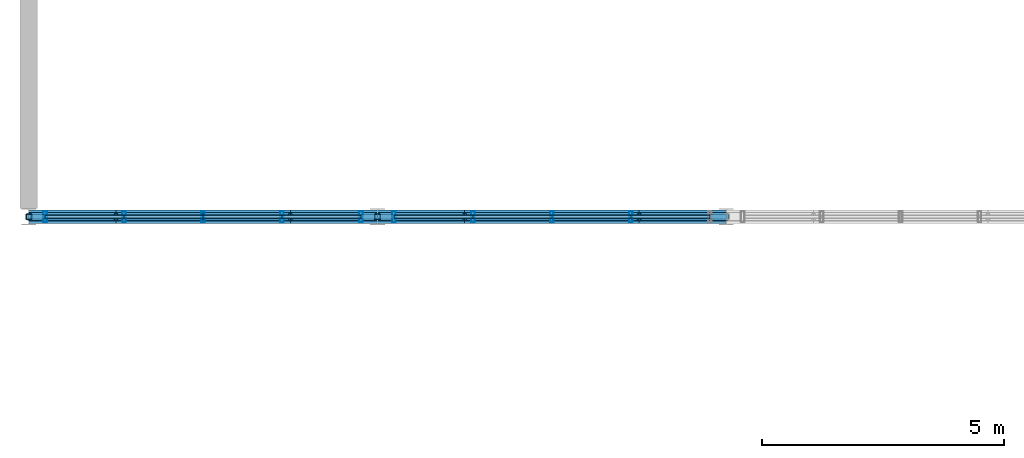
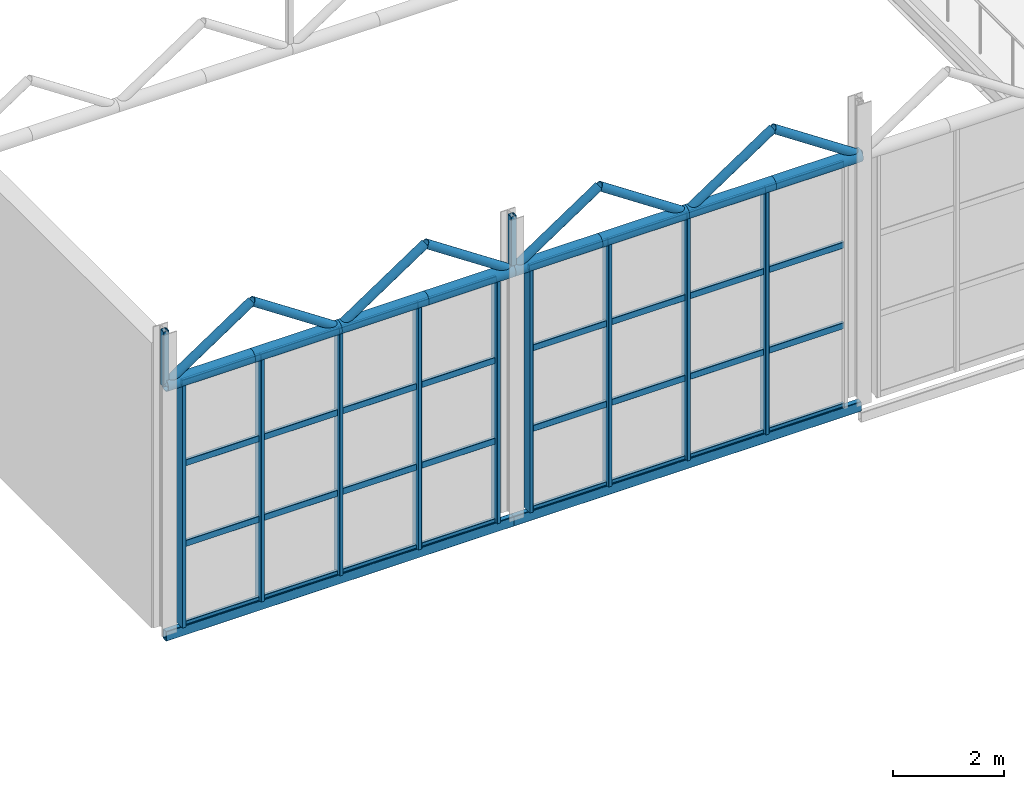
# One storey, part 83 of 153: 59 members, 2 beams, 2 elements without a shape of their own.
"""IFC4 building model written with IfcOpenShell, lengths in metres."""

import ifcopenshell
import ifcopenshell.guid

model = None  # the IFC model being written
_history = None  # IfcOwnerHistory: only IFC2X3 demands one
_inside = {}  # id of a spatial element -> (the spatial element, [elements in it])
_under = {}  # id of a project, library or spatial element -> (it, [spatial elements below it])
_declared = {}  # id of a project -> (the project, [libraries it declares])
_typed = {}  # id of a type object -> (the type object, [elements of that type])
_made_of = {}  # id of a material, layer set ... -> (it, [elements and type objects made of it])


def new_model(schema):
    """Start an empty IFC model of exactly this schema.

    Asked for "IFC4X3", IfcOpenShell would pick the latest addendum, in which some entities
    have other attributes; the version numbers below select the first issue.
    IFC2X3 requires an IfcOwnerHistory on every rooted entity: one is made here for all.
    """
    global model, _history
    if schema == "IFC4X3":
        model = ifcopenshell.file(schema_version=(4, 3, 0, 0))
    else:
        model = ifcopenshell.file(schema=schema)
    _inside.clear()
    _under.clear()
    _declared.clear()
    _typed.clear()
    _made_of.clear()
    _history = None
    if model.schema == "IFC2X3":
        org = make("IfcOrganization", Name="unknown")
        user = make(
            "IfcPersonAndOrganization",
            ThePerson=make("IfcPerson", FamilyName="unknown"),
            TheOrganization=org,
        )
        app = make(
            "IfcApplication",
            ApplicationDeveloper=org,
            Version="unknown",
            ApplicationFullName="unknown",
            ApplicationIdentifier="unknown",
        )
        _history = make(
            "IfcOwnerHistory",
            OwningUser=user,
            OwningApplication=app,
            ChangeAction="ADDED",
            CreationDate=0,
        )
    return model


def make(cls, **values):
    """One entity of the class cls with the attributes given. An attribute that is None is left unset."""
    return model.create_entity(
        cls, **{name: value for name, value in values.items() if value is not None}
    )


def rooted(cls, **values):
    """An entity with a GlobalId (a new one), such as an element, a storey or a relation."""
    return make(cls, GlobalId=ifcopenshell.guid.new(), OwnerHistory=_history, **values)


def si_unit(unit_type, name, prefix=None):
    """IfcSIUnit, for example si_unit("LENGTHUNIT", "METRE", prefix="MILLI")."""
    return make("IfcSIUnit", UnitType=unit_type, Prefix=prefix, Name=name)


def derived_unit(unit_type, elements):
    """IfcDerivedUnit: a product of units, each with its exponent."""
    return make(
        "IfcDerivedUnit",
        Elements=[
            make("IfcDerivedUnitElement", Unit=unit, Exponent=power)
            for unit, power in elements
        ],
        UnitType=unit_type,
    )


def assignment(units):
    """IfcUnitAssignment: the units of a project."""
    return None if units is None else make("IfcUnitAssignment", Units=units)


def point(xyz):
    """IfcCartesianPoint."""
    return None if xyz is None else make("IfcCartesianPoint", Coordinates=xyz)


def direction(xyz):
    """IfcDirection."""
    return None if xyz is None else make("IfcDirection", DirectionRatios=xyz)


def frame(location, z_axis=None, x_axis=None):
    """IfcAxis2Placement3D, a coordinate frame: its origin and axes. An axis left out is left unset."""
    return make(
        "IfcAxis2Placement3D",
        Location=point(location),
        Axis=direction(z_axis),
        RefDirection=direction(x_axis),
    )


def frame_2d(location, x_axis=None):
    """IfcAxis2Placement2D, a coordinate frame in the plane: its origin and x axis."""
    return make(
        "IfcAxis2Placement2D", Location=point(location), RefDirection=direction(x_axis)
    )


def origin():
    """The frame at (0, 0, 0) with its axes left unset."""
    return frame((0.0, 0.0, 0.0))


def origin_2d():
    """The frame at (0, 0) in the plane with its x axis left unset."""
    return frame_2d((0.0, 0.0))


def place(relative_to, where):
    """IfcLocalPlacement: puts the frame where relative to a parent placement (None: the world)."""
    return make(
        "IfcLocalPlacement", PlacementRelTo=relative_to, RelativePlacement=where
    )


def context(
    kind, dimensions, precision=None, world=None, true_north=None, identifier=None
):
    """IfcGeometricRepresentationContext, for example the 3D "Model" context."""
    return make(
        "IfcGeometricRepresentationContext",
        ContextIdentifier=identifier,
        ContextType=kind,
        CoordinateSpaceDimension=dimensions,
        Precision=precision,
        WorldCoordinateSystem=world,
        TrueNorth=true_north,
    )


def subcontext(parent, identifier, kind, view, scale=None):
    """IfcGeometricRepresentationSubContext, for example "Body" below "Model"."""
    return make(
        "IfcGeometricRepresentationSubContext",
        ContextIdentifier=identifier,
        ContextType=kind,
        ParentContext=parent,
        TargetScale=scale,
        TargetView=view,
    )


def project(units=None, contexts=None):
    """IfcProject with its units and contexts."""
    return rooted(
        "IfcProject",
        Name="project",
        RepresentationContexts=contexts,
        UnitsInContext=assignment(units),
    )


def spatial(cls, under=None, at=None, **own):
    """A site, building, storey or space (cls), placed at a placement, below another one or the project."""
    s = rooted(cls, ObjectPlacement=at, **own)
    if under is not None:
        _under.setdefault(under.id(), (under, []))[1].append(s)
    return s


def profile(cls, at=None, kind="AREA", **sizes):
    """A parametric profile (cls). Its sizes go by their IFC names, for example OverallWidth=200.0."""
    return make(cls, ProfileType=kind, Position=at, **sizes)


def hollow_rectangle(**sizes):
    """IfcRectangleHollowProfileDef."""
    return profile("IfcRectangleHollowProfileDef", **sizes)


def hollow_circle(**sizes):
    """IfcCircleHollowProfileDef."""
    return profile("IfcCircleHollowProfileDef", **sizes)


def extrude(swept, where, along, depth):
    """IfcExtrudedAreaSolid: the profile swept, set in the frame where, extruded along a direction by depth."""
    return make(
        "IfcExtrudedAreaSolid",
        SweptArea=swept,
        Position=where,
        ExtrudedDirection=direction(along),
        Depth=depth,
    )


def shape(context_of_items, identifier, shape_type, items):
    """IfcShapeRepresentation: the items that make up one representation, for example the "Body"."""
    return make(
        "IfcShapeRepresentation",
        ContextOfItems=context_of_items,
        RepresentationIdentifier=identifier,
        RepresentationType=shape_type,
        Items=items,
    )


def material(Name=None, Category=None):
    """IfcMaterial."""
    return make("IfcMaterial", Name=Name, Category=Category)


def material_profile(
    of_material, cross_section, Name=None, Category=None, Priority=None
):
    """IfcMaterialProfile: a cross section and its material."""
    return make(
        "IfcMaterialProfile",
        Name=Name,
        Material=of_material,
        Profile=cross_section,
        Priority=Priority,
        Category=Category,
    )


def profile_set(profiles, Name=None, composite=None):
    """IfcMaterialProfileSet."""
    return make(
        "IfcMaterialProfileSet",
        Name=Name,
        MaterialProfiles=profiles,
        CompositeProfile=composite,
    )


def made_of(thing, what):
    """Note that an element or type object is made of a material, layer set ...; save() writes the relation."""
    if what is not None:
        _made_of.setdefault(what.id(), (what, []))[1].append(thing)
    return thing


def type_object(cls, material=None, **own):
    """A type object (cls), such as IfcWallType, which elements share."""
    return made_of(rooted(cls, **own), material)


def element(
    cls,
    number,
    at=None,
    inside=None,
    cuts=None,
    type_object=None,
    material=None,
    context=None,
    identifier="Body",
    shape_type=None,
    held_by="IfcProductDefinitionShape",
    body=None,
    shapes=None,
    **own,
):
    """One element of the class cls, such as IfcWall. Its Tag is "e" and its number.

    at: its placement. inside: the storey or other place that contains it. cuts: it is an
    opening in that element (IfcRelVoidsElement). A single representation is given by context,
    identifier, shape_type and body (its items); several are given by shapes. held_by: the class
    of the entity that holds the representations. save() writes the other relations.
    """
    e = rooted(cls, Tag="e%d" % number, ObjectPlacement=at, **own)
    if body is not None:
        shapes = [shape(context, identifier, shape_type, body)]
    if shapes is not None:
        e.Representation = make(held_by, Representations=shapes)
    if inside is not None:
        _inside.setdefault(inside.id(), (inside, []))[1].append(e)
    if cuts is not None:
        rooted(
            "IfcRelVoidsElement", RelatingBuildingElement=cuts, RelatedOpeningElement=e
        )
    if type_object is not None:
        _typed.setdefault(type_object.id(), (type_object, []))[1].append(e)
    return made_of(e, material)


def aggregate(whole, parts):
    """IfcRelAggregates: a whole, such as a stair, and the parts it consists of."""
    return rooted("IfcRelAggregates", RelatingObject=whole, RelatedObjects=parts)


def save(model, path):
    """Write the relations noted so far, then the file.

    IfcRelAggregates (storeys below a building ...), IfcRelContainedInSpatialStructure (elements
    in a storey), IfcRelDefinesByType, IfcRelAssociatesMaterial and IfcRelDeclares: one each for
    every whole, place, type object, material and project.
    """
    for whole, parts in _under.values():
        aggregate(whole, parts)
    for where, things in _inside.values():
        rooted(
            "IfcRelContainedInSpatialStructure",
            RelatedElements=things,
            RelatingStructure=where,
        )
    for kind, things in _typed.values():
        rooted("IfcRelDefinesByType", RelatedObjects=things, RelatingType=kind)
    for what, things in _made_of.values():
        rooted("IfcRelAssociatesMaterial", RelatedObjects=things, RelatingMaterial=what)
    for by, libraries in _declared.values():
        rooted("IfcRelDeclares", RelatingContext=by, RelatedDefinitions=libraries)
    model.write(path)


model = new_model("IFC4")

# Units and contexts
model_context = context("Model", 3, precision=1e-05, world=origin(), true_north=direction((0.0, 1.0)))
body_context = subcontext(model_context, "Body", "Model", "MODEL_VIEW")
ifc_project = project(units=[si_unit("LENGTHUNIT", "METRE"), si_unit("AREAUNIT", "SQUARE_METRE"), si_unit("VOLUMEUNIT", "CUBIC_METRE"), si_unit("PLANEANGLEUNIT", "RADIAN"), si_unit("MASSUNIT", "GRAM", prefix="KILO"), derived_unit("THERMALTRANSMITTANCEUNIT", [(si_unit("POWERUNIT", "WATT"), 1), (si_unit("LENGTHUNIT", "METRE"), -2), (si_unit("THERMODYNAMICTEMPERATUREUNIT", "KELVIN"), -1)])], contexts=[model_context])

# Site, building, storey
site_placement = place(None, origin())
site = spatial("IfcSite", under=ifc_project, at=site_placement, CompositionType="ELEMENT")
building_placement = place(site_placement, origin())
building = spatial("IfcBuilding", under=site, at=building_placement, Name="Keldorne Ridge Multi-Sports Centre", CompositionType="ELEMENT")
storey_placement = place(building_placement, frame((0.0, 0.0, 9.60009765625)))
storey = spatial("IfcBuildingStorey", under=building, at=storey_placement, Name="L02", CompositionType="ELEMENT", Elevation=9.60009765625)

# Beams
ifc_material_1 = material(Name="Steel S355", Category="steel")
ifc_material_profile_1 = material_profile(ifc_material_1, hollow_rectangle(XDim=0.1201171875, YDim=0.219970703125, WallThickness=0.010009765625, InnerFilletRadius=0.010009765625, OuterFilletRadius=0.02001953125, at=origin_2d()), Name="RHS 220x120x10")
ifc_profile_set_1 = profile_set([ifc_material_profile_1], Name="Steel S355")
beam_type = type_object("IfcBeamType", Name="BM-SP-07", PredefinedType="SPANDREL", material=ifc_profile_set_1)
for number, where, z_axis, x_axis, name in (
    (1, (6.0, 74.0, -0.110107421875), (1.0, 0.0, 0.0), (0.0, 1.0, 0.0), "Climbing spandrel L02.74.1"),
    (2, (13.199951171875, 74.0, -0.110107421875), (1.0, 0.0, 0.0), (0.0, 1.0, 0.0), "Climbing spandrel L02.74.2"),
):
    element("IfcBeam", number, at=place(storey_placement, frame(where, z_axis=z_axis, x_axis=x_axis)), inside=storey, type_object=beam_type, Name=name, PredefinedType="SPANDREL", context=body_context, shape_type="SweptSolid", body=[
        extrude(hollow_rectangle(XDim=0.1201171875, YDim=0.219970703125, WallThickness=0.010009765625, InnerFilletRadius=0.010009765625, OuterFilletRadius=0.02001953125, at=origin_2d()), origin(), (0.0, 0.0, 1.0), 7.199951171875),
    ])

# Curtain wall, members
ifc_material_2 = material(Name="Anodized aluminium", Category="aluminium")
curtain_wall_type_1 = type_object("IfcCurtainWallType", Name="CW-CW-04", PredefinedType="NOTDEFINED", material=ifc_material_2)
curtain_wall_1_placement = place(storey_placement, origin())
curtain_wall_1 = element("IfcCurtainWall", 3, at=curtain_wall_1_placement, inside=storey, type_object=curtain_wall_type_1, Name="Climbing upper south glazing 036", PredefinedType="NOTDEFINED")
ifc_material_profile_2 = material_profile(ifc_material_2, hollow_rectangle(XDim=0.074951171875, YDim=0.219970703125, WallThickness=0.0048828125, InnerFilletRadius=0.0048828125, OuterFilletRadius=0.010009765625, at=origin_2d()), Name="ALU MULLION 220x75x5")
ifc_profile_set_2 = profile_set([ifc_material_profile_2], Name="Anodized aluminium")
member_type_1 = type_object("IfcMemberType", Name="MEM-ML-02", PredefinedType="MULLION", material=ifc_profile_set_2)
member_1_placement = place(storey_placement, frame((6.340087890625, 74.0, 0.0), z_axis=(0.0, 0.0, 1.0), x_axis=(1.0, 0.0, 0.0)))
member_1 = element("IfcMember", 4, at=member_1_placement, type_object=member_type_1, Name="CW-036 vertical mullion 1", PredefinedType="MULLION", context=body_context, shape_type="SweptSolid", body=[
    extrude(hollow_rectangle(XDim=0.074951171875, YDim=0.219970703125, WallThickness=0.0048828125, InnerFilletRadius=0.0048828125, OuterFilletRadius=0.010009765625, at=origin_2d()), origin(), (0.0, 0.0, 1.0), 5.2998046875),
])
member_2_placement = place(storey_placement, frame((7.969970703125, 74.0, 0.0), z_axis=(0.0, 0.0, 1.0), x_axis=(1.0, 0.0, 0.0)))
member_2 = element("IfcMember", 5, at=member_2_placement, type_object=member_type_1, Name="CW-036 vertical mullion 2", PredefinedType="MULLION", context=body_context, shape_type="SweptSolid", body=[
    extrude(hollow_rectangle(XDim=0.074951171875, YDim=0.219970703125, WallThickness=0.0048828125, InnerFilletRadius=0.0048828125, OuterFilletRadius=0.010009765625, at=origin_2d()), origin(), (0.0, 0.0, 1.0), 5.2998046875),
])
member_3_placement = place(storey_placement, frame((9.60009765625, 74.0, 0.0), z_axis=(0.0, 0.0, 1.0), x_axis=(1.0, 0.0, 0.0)))
member_3 = element("IfcMember", 6, at=member_3_placement, type_object=member_type_1, Name="CW-036 vertical mullion 3", PredefinedType="MULLION", context=body_context, shape_type="SweptSolid", body=[
    extrude(hollow_rectangle(XDim=0.074951171875, YDim=0.219970703125, WallThickness=0.0048828125, InnerFilletRadius=0.0048828125, OuterFilletRadius=0.010009765625, at=origin_2d()), origin(), (0.0, 0.0, 1.0), 5.2998046875),
])
member_4_placement = place(storey_placement, frame((11.22998046875, 74.0, 0.0), z_axis=(0.0, 0.0, 1.0), x_axis=(1.0, 0.0, 0.0)))
member_4 = element("IfcMember", 7, at=member_4_placement, type_object=member_type_1, Name="CW-036 vertical mullion 4", PredefinedType="MULLION", context=body_context, shape_type="SweptSolid", body=[
    extrude(hollow_rectangle(XDim=0.074951171875, YDim=0.219970703125, WallThickness=0.0048828125, InnerFilletRadius=0.0048828125, OuterFilletRadius=0.010009765625, at=origin_2d()), origin(), (0.0, 0.0, 1.0), 5.2998046875),
])
member_5_placement = place(storey_placement, frame((12.860107421875, 74.0, 0.0), z_axis=(0.0, 0.0, 1.0), x_axis=(1.0, 0.0, 0.0)))
member_5 = element("IfcMember", 8, at=member_5_placement, type_object=member_type_1, Name="CW-036 vertical mullion 5", PredefinedType="MULLION", context=body_context, shape_type="SweptSolid", body=[
    extrude(hollow_rectangle(XDim=0.074951171875, YDim=0.219970703125, WallThickness=0.0048828125, InnerFilletRadius=0.0048828125, OuterFilletRadius=0.010009765625, at=origin_2d()), origin(), (0.0, 0.0, 1.0), 5.2998046875),
])

curtain_wall_type_2 = type_object("IfcCurtainWallType", Name="CW-CW-01", PredefinedType="NOTDEFINED", material=ifc_material_2)
curtain_wall_2_placement = place(storey_placement, origin())
curtain_wall_2 = element("IfcCurtainWall", 9, at=curtain_wall_2_placement, inside=storey, type_object=curtain_wall_type_2, Name="Climbing upper south glazing 041", PredefinedType="NOTDEFINED")
member_6_placement = place(storey_placement, frame((13.5400390625, 74.0, 0.0), z_axis=(0.0, 0.0, 1.0), x_axis=(1.0, 0.0, 0.0)))
member_6 = element("IfcMember", 10, at=member_6_placement, type_object=member_type_1, Name="CW-041 vertical mullion 1", PredefinedType="MULLION", context=body_context, shape_type="SweptSolid", body=[
    extrude(hollow_rectangle(XDim=0.074951171875, YDim=0.219970703125, WallThickness=0.0048828125, InnerFilletRadius=0.0048828125, OuterFilletRadius=0.010009765625, at=origin_2d()), origin(), (0.0, 0.0, 1.0), 5.2998046875),
])
member_7_placement = place(storey_placement, frame((15.169921875, 74.0, 0.0), z_axis=(0.0, 0.0, 1.0), x_axis=(1.0, 0.0, 0.0)))
member_7 = element("IfcMember", 11, at=member_7_placement, type_object=member_type_1, Name="CW-041 vertical mullion 2", PredefinedType="MULLION", context=body_context, shape_type="SweptSolid", body=[
    extrude(hollow_rectangle(XDim=0.074951171875, YDim=0.219970703125, WallThickness=0.0048828125, InnerFilletRadius=0.0048828125, OuterFilletRadius=0.010009765625, at=origin_2d()), origin(), (0.0, 0.0, 1.0), 5.2998046875),
])
member_8_placement = place(storey_placement, frame((16.800048828125, 74.0, 0.0), z_axis=(0.0, 0.0, 1.0), x_axis=(1.0, 0.0, 0.0)))
member_8 = element("IfcMember", 12, at=member_8_placement, type_object=member_type_1, Name="CW-041 vertical mullion 3", PredefinedType="MULLION", context=body_context, shape_type="SweptSolid", body=[
    extrude(hollow_rectangle(XDim=0.074951171875, YDim=0.219970703125, WallThickness=0.0048828125, InnerFilletRadius=0.0048828125, OuterFilletRadius=0.010009765625, at=origin_2d()), origin(), (0.0, 0.0, 1.0), 5.2998046875),
])
member_9_placement = place(storey_placement, frame((18.429931640625, 74.0, 0.0), z_axis=(0.0, 0.0, 1.0), x_axis=(1.0, 0.0, 0.0)))
member_9 = element("IfcMember", 13, at=member_9_placement, type_object=member_type_1, Name="CW-041 vertical mullion 4", PredefinedType="MULLION", context=body_context, shape_type="SweptSolid", body=[
    extrude(hollow_rectangle(XDim=0.074951171875, YDim=0.219970703125, WallThickness=0.0048828125, InnerFilletRadius=0.0048828125, OuterFilletRadius=0.010009765625, at=origin_2d()), origin(), (0.0, 0.0, 1.0), 5.2998046875),
])

# Members
ifc_material_profile_3 = material_profile(ifc_material_1, hollow_circle(Radius=0.136474609375, WallThickness=0.012451171875, at=origin_2d()), Name="CHS 273x12.5")
ifc_profile_set_3 = profile_set([ifc_material_profile_3], Name="Steel S355")
member_type_2 = type_object("IfcMemberType", Name="MEM-TC-05", PredefinedType="CHORD", material=ifc_profile_set_3)
for number, where, z_axis, x_axis, name in (
    (14, (6.0, 74.0, 5.3798828125), (1.0, 0.0, 0.0), (0.0, 1.0, 0.0), "Climbing sawtooth ROOF TRUSS ST-01 bottom chord 1"),
    (15, (7.800048828125, 74.0, 5.3798828125), (1.0, 0.0, 0.0), (0.0, 1.0, 0.0), "Climbing sawtooth ROOF TRUSS ST-01 bottom chord 2"),
):
    element("IfcMember", number, at=place(storey_placement, frame(where, z_axis=z_axis, x_axis=x_axis)), inside=storey, type_object=member_type_2, Name=name, PredefinedType="CHORD", context=body_context, shape_type="SweptSolid", body=[
        extrude(hollow_circle(Radius=0.136474609375, WallThickness=0.012451171875, at=origin_2d()), origin(), (0.0, 0.0, 1.0), 1.800048828125),
    ])
member_10_placement = place(storey_placement, frame((9.60009765625, 74.0, 5.3798828125), z_axis=(1.0, 0.0, 0.0), x_axis=(0.0, 1.0, 0.0)))
element("IfcMember", 16, at=member_10_placement, inside=storey, type_object=member_type_2, Name="Climbing sawtooth ROOF TRUSS ST-01 bottom chord 3", PredefinedType="CHORD", context=body_context, shape_type="SweptSolid", body=[
    extrude(hollow_circle(Radius=0.136474609375, WallThickness=0.012451171875, at=origin_2d()), origin(), (0.0, 0.0, 1.0), 1.7998046875),
])
for number, where, z_axis, x_axis, name in (
    (17, (11.39990234375, 74.0, 5.3798828125), (1.0, 0.0, 0.0), (0.0, 1.0, 0.0), "Climbing sawtooth ROOF TRUSS ST-01 bottom chord 4"),
    (18, (13.199951171875, 74.0, 5.3798828125), (1.0, 0.0, 0.0), (0.0, 1.0, 0.0), "Climbing sawtooth ROOF TRUSS ST-01 bottom chord 5"),
    (19, (15.0, 74.0, 5.3798828125), (1.0, 0.0, 0.0), (0.0, 1.0, 0.0), "Climbing sawtooth ROOF TRUSS ST-01 bottom chord 6"),
    (20, (16.800048828125, 74.0, 5.3798828125), (1.0, 0.0, 0.0), (0.0, 1.0, 0.0), "Climbing sawtooth ROOF TRUSS ST-01 bottom chord 7"),
):
    element("IfcMember", number, at=place(storey_placement, frame(where, z_axis=z_axis, x_axis=x_axis)), inside=storey, type_object=member_type_2, Name=name, PredefinedType="CHORD", context=body_context, shape_type="SweptSolid", body=[
        extrude(hollow_circle(Radius=0.136474609375, WallThickness=0.012451171875, at=origin_2d()), origin(), (0.0, 0.0, 1.0), 1.800048828125),
    ])
member_11_placement = place(storey_placement, frame((18.60009765625, 74.0, 5.3798828125), z_axis=(1.0, 0.0, 0.0), x_axis=(0.0, 1.0, 0.0)))
element("IfcMember", 21, at=member_11_placement, inside=storey, type_object=member_type_2, Name="Climbing sawtooth ROOF TRUSS ST-01 bottom chord 8", PredefinedType="CHORD", context=body_context, shape_type="SweptSolid", body=[
    extrude(hollow_circle(Radius=0.136474609375, WallThickness=0.012451171875, at=origin_2d()), origin(), (0.0, 0.0, 1.0), 1.7998046875),
])
ifc_material_profile_4 = material_profile(ifc_material_1, hollow_circle(Radius=0.0888671875, WallThickness=0.010009765625, at=origin_2d()), Name="CHS 177.8x10")
ifc_profile_set_4 = profile_set([ifc_material_profile_4], Name="Steel S355")
member_type_3 = type_object("IfcMemberType", Name="MEM-TD-03", PredefinedType="BRACE", material=ifc_profile_set_4)
for number, where, z_axis, x_axis, name in (
    (22, (6.0, 74.0, 5.3798828125), (0.832067655982, 0.0, 0.554674152876), (0.0, 1.0, 0.0), "Climbing sawtooth web diagonal 01.1"),
    (23, (7.800048828125, 74.0, 6.579833984375), (0.832067655982, 0.0, -0.554674152876), (0.0, 1.0, 0.0), "Climbing sawtooth web diagonal 01.2"),
):
    element("IfcMember", number, at=place(storey_placement, frame(where, z_axis=z_axis, x_axis=x_axis)), inside=storey, type_object=member_type_3, Name=name, PredefinedType="BRACE", context=body_context, shape_type="SweptSolid", body=[
        extrude(hollow_circle(Radius=0.0888671875, WallThickness=0.010009765625, at=origin_2d()), origin(), (0.0, 0.0, 1.0), 2.163330078125),
    ])
member_12_placement = place(storey_placement, frame((9.60009765625, 74.0, 5.3798828125), z_axis=(0.832032930248, 0.0, 0.554726241477), x_axis=(0.0, 1.0, 0.0)))
element("IfcMember", 24, at=member_12_placement, inside=storey, type_object=member_type_3, Name="Climbing sawtooth web diagonal 01.3", PredefinedType="BRACE", context=body_context, shape_type="SweptSolid", body=[
    extrude(hollow_circle(Radius=0.0888671875, WallThickness=0.010009765625, at=origin_2d()), origin(), (0.0, 0.0, 1.0), 2.1630859375),
])
for number, where, z_axis, x_axis, name in (
    (25, (11.39990234375, 74.0, 6.579833984375), (0.832067655982, 0.0, -0.554674152876), (0.0, 1.0, 0.0), "Climbing sawtooth web diagonal 01.4"),
    (26, (13.199951171875, 74.0, 5.3798828125), (0.832067655982, 0.0, 0.554674152876), (0.0, 1.0, 0.0), "Climbing sawtooth web diagonal 01.5"),
    (27, (15.0, 74.0, 6.579833984375), (0.832067655982, 0.0, -0.554674152876), (0.0, 1.0, 0.0), "Climbing sawtooth web diagonal 01.6"),
    (28, (16.800048828125, 74.0, 5.3798828125), (0.832067655982, 0.0, 0.554674152876), (0.0, 1.0, 0.0), "Climbing sawtooth web diagonal 01.7"),
):
    element("IfcMember", number, at=place(storey_placement, frame(where, z_axis=z_axis, x_axis=x_axis)), inside=storey, type_object=member_type_3, Name=name, PredefinedType="BRACE", context=body_context, shape_type="SweptSolid", body=[
        extrude(hollow_circle(Radius=0.0888671875, WallThickness=0.010009765625, at=origin_2d()), origin(), (0.0, 0.0, 1.0), 2.163330078125),
    ])
member_13_placement = place(storey_placement, frame((18.60009765625, 74.0, 6.579833984375), z_axis=(0.832032930248, 0.0, -0.554726241477), x_axis=(0.0, 1.0, 0.0)))
element("IfcMember", 29, at=member_13_placement, inside=storey, type_object=member_type_3, Name="Climbing sawtooth web diagonal 01.8", PredefinedType="BRACE", context=body_context, shape_type="SweptSolid", body=[
    extrude(hollow_circle(Radius=0.0888671875, WallThickness=0.010009765625, at=origin_2d()), origin(), (0.0, 0.0, 1.0), 2.1630859375),
])

# Member
ifc_material_profile_5 = material_profile(ifc_material_2, hollow_rectangle(XDim=0.06494140625, YDim=0.139892578125, WallThickness=0.00439453125, InnerFilletRadius=0.00439453125, OuterFilletRadius=0.009033203125, at=origin_2d()), Name="ALU TRANSOM 140x65x4.5")
ifc_profile_set_5 = profile_set([ifc_material_profile_5], Name="Anodized aluminium")
member_type_4 = type_object("IfcMemberType", Name="MEM-TR-01", PredefinedType="USERDEFINED", material=ifc_profile_set_5)
member_14_placement = place(storey_placement, frame((6.340087890625, 74.0, 0.0), z_axis=(1.0, 0.0, 0.0), x_axis=(0.0, 1.0, 0.0)))
member_14 = element("IfcMember", 30, at=member_14_placement, type_object=member_type_4, Name="CW-036 transom 1.1", ObjectType="TRANSOM", PredefinedType="USERDEFINED", context=body_context, shape_type="SweptSolid", body=[
    extrude(hollow_rectangle(XDim=0.06494140625, YDim=0.139892578125, WallThickness=0.00439453125, InnerFilletRadius=0.00439453125, OuterFilletRadius=0.009033203125, at=origin_2d()), origin(), (0.0, 0.0, 1.0), 1.6298828125),
])

member_15_placement = place(storey_placement, frame((6.340087890625, 74.0, 1.7666015625), z_axis=(1.0, 0.0, 0.0), x_axis=(0.0, 1.0, 0.0)))
member_15 = element("IfcMember", 31, at=member_15_placement, type_object=member_type_4, Name="CW-036 transom 1.2", ObjectType="TRANSOM", PredefinedType="USERDEFINED", context=body_context, shape_type="SweptSolid", body=[
    extrude(hollow_rectangle(XDim=0.06494140625, YDim=0.139892578125, WallThickness=0.00439453125, InnerFilletRadius=0.00439453125, OuterFilletRadius=0.009033203125, at=origin_2d()), origin(), (0.0, 0.0, 1.0), 1.6298828125),
])

member_16_placement = place(storey_placement, frame((6.340087890625, 74.0, 3.533203125), z_axis=(1.0, 0.0, 0.0), x_axis=(0.0, 1.0, 0.0)))
member_16 = element("IfcMember", 32, at=member_16_placement, type_object=member_type_4, Name="CW-036 transom 1.3", ObjectType="TRANSOM", PredefinedType="USERDEFINED", context=body_context, shape_type="SweptSolid", body=[
    extrude(hollow_rectangle(XDim=0.06494140625, YDim=0.139892578125, WallThickness=0.00439453125, InnerFilletRadius=0.00439453125, OuterFilletRadius=0.009033203125, at=origin_2d()), origin(), (0.0, 0.0, 1.0), 1.6298828125),
])

member_17_placement = place(storey_placement, frame((6.340087890625, 74.0, 5.2998046875), z_axis=(1.0, 0.0, 0.0), x_axis=(0.0, 1.0, 0.0)))
member_17 = element("IfcMember", 33, at=member_17_placement, type_object=member_type_4, Name="CW-036 transom 1.4", ObjectType="TRANSOM", PredefinedType="USERDEFINED", context=body_context, shape_type="SweptSolid", body=[
    extrude(hollow_rectangle(XDim=0.06494140625, YDim=0.139892578125, WallThickness=0.00439453125, InnerFilletRadius=0.00439453125, OuterFilletRadius=0.009033203125, at=origin_2d()), origin(), (0.0, 0.0, 1.0), 1.6298828125),
])

member_18_placement = place(storey_placement, frame((7.969970703125, 74.0, 0.0), z_axis=(1.0, 0.0, 0.0), x_axis=(0.0, 1.0, 0.0)))
member_18 = element("IfcMember", 34, at=member_18_placement, type_object=member_type_4, Name="CW-036 transom 2.1", ObjectType="TRANSOM", PredefinedType="USERDEFINED", context=body_context, shape_type="SweptSolid", body=[
    extrude(hollow_rectangle(XDim=0.06494140625, YDim=0.139892578125, WallThickness=0.00439453125, InnerFilletRadius=0.00439453125, OuterFilletRadius=0.009033203125, at=origin_2d()), origin(), (0.0, 0.0, 1.0), 1.630126953125),
])

member_19_placement = place(storey_placement, frame((7.969970703125, 74.0, 1.7666015625), z_axis=(1.0, 0.0, 0.0), x_axis=(0.0, 1.0, 0.0)))
member_19 = element("IfcMember", 35, at=member_19_placement, type_object=member_type_4, Name="CW-036 transom 2.2", ObjectType="TRANSOM", PredefinedType="USERDEFINED", context=body_context, shape_type="SweptSolid", body=[
    extrude(hollow_rectangle(XDim=0.06494140625, YDim=0.139892578125, WallThickness=0.00439453125, InnerFilletRadius=0.00439453125, OuterFilletRadius=0.009033203125, at=origin_2d()), origin(), (0.0, 0.0, 1.0), 1.630126953125),
])

member_20_placement = place(storey_placement, frame((7.969970703125, 74.0, 3.533203125), z_axis=(1.0, 0.0, 0.0), x_axis=(0.0, 1.0, 0.0)))
member_20 = element("IfcMember", 36, at=member_20_placement, type_object=member_type_4, Name="CW-036 transom 2.3", ObjectType="TRANSOM", PredefinedType="USERDEFINED", context=body_context, shape_type="SweptSolid", body=[
    extrude(hollow_rectangle(XDim=0.06494140625, YDim=0.139892578125, WallThickness=0.00439453125, InnerFilletRadius=0.00439453125, OuterFilletRadius=0.009033203125, at=origin_2d()), origin(), (0.0, 0.0, 1.0), 1.630126953125),
])

member_21_placement = place(storey_placement, frame((7.969970703125, 74.0, 5.2998046875), z_axis=(1.0, 0.0, 0.0), x_axis=(0.0, 1.0, 0.0)))
member_21 = element("IfcMember", 37, at=member_21_placement, type_object=member_type_4, Name="CW-036 transom 2.4", ObjectType="TRANSOM", PredefinedType="USERDEFINED", context=body_context, shape_type="SweptSolid", body=[
    extrude(hollow_rectangle(XDim=0.06494140625, YDim=0.139892578125, WallThickness=0.00439453125, InnerFilletRadius=0.00439453125, OuterFilletRadius=0.009033203125, at=origin_2d()), origin(), (0.0, 0.0, 1.0), 1.630126953125),
])

member_22_placement = place(storey_placement, frame((9.60009765625, 74.0, 0.0), z_axis=(1.0, 0.0, 0.0), x_axis=(0.0, 1.0, 0.0)))
member_22 = element("IfcMember", 38, at=member_22_placement, type_object=member_type_4, Name="CW-036 transom 3.1", ObjectType="TRANSOM", PredefinedType="USERDEFINED", context=body_context, shape_type="SweptSolid", body=[
    extrude(hollow_rectangle(XDim=0.06494140625, YDim=0.139892578125, WallThickness=0.00439453125, InnerFilletRadius=0.00439453125, OuterFilletRadius=0.009033203125, at=origin_2d()), origin(), (0.0, 0.0, 1.0), 1.6298828125),
])

member_23_placement = place(storey_placement, frame((9.60009765625, 74.0, 1.7666015625), z_axis=(1.0, 0.0, 0.0), x_axis=(0.0, 1.0, 0.0)))
member_23 = element("IfcMember", 39, at=member_23_placement, type_object=member_type_4, Name="CW-036 transom 3.2", ObjectType="TRANSOM", PredefinedType="USERDEFINED", context=body_context, shape_type="SweptSolid", body=[
    extrude(hollow_rectangle(XDim=0.06494140625, YDim=0.139892578125, WallThickness=0.00439453125, InnerFilletRadius=0.00439453125, OuterFilletRadius=0.009033203125, at=origin_2d()), origin(), (0.0, 0.0, 1.0), 1.6298828125),
])

member_24_placement = place(storey_placement, frame((9.60009765625, 74.0, 3.533203125), z_axis=(1.0, 0.0, 0.0), x_axis=(0.0, 1.0, 0.0)))
member_24 = element("IfcMember", 40, at=member_24_placement, type_object=member_type_4, Name="CW-036 transom 3.3", ObjectType="TRANSOM", PredefinedType="USERDEFINED", context=body_context, shape_type="SweptSolid", body=[
    extrude(hollow_rectangle(XDim=0.06494140625, YDim=0.139892578125, WallThickness=0.00439453125, InnerFilletRadius=0.00439453125, OuterFilletRadius=0.009033203125, at=origin_2d()), origin(), (0.0, 0.0, 1.0), 1.6298828125),
])

member_25_placement = place(storey_placement, frame((9.60009765625, 74.0, 5.2998046875), z_axis=(1.0, 0.0, 0.0), x_axis=(0.0, 1.0, 0.0)))
member_25 = element("IfcMember", 41, at=member_25_placement, type_object=member_type_4, Name="CW-036 transom 3.4", ObjectType="TRANSOM", PredefinedType="USERDEFINED", context=body_context, shape_type="SweptSolid", body=[
    extrude(hollow_rectangle(XDim=0.06494140625, YDim=0.139892578125, WallThickness=0.00439453125, InnerFilletRadius=0.00439453125, OuterFilletRadius=0.009033203125, at=origin_2d()), origin(), (0.0, 0.0, 1.0), 1.6298828125),
])

member_26_placement = place(storey_placement, frame((11.22998046875, 74.0, 0.0), z_axis=(1.0, 0.0, 0.0), x_axis=(0.0, 1.0, 0.0)))
member_26 = element("IfcMember", 42, at=member_26_placement, type_object=member_type_4, Name="CW-036 transom 4.1", ObjectType="TRANSOM", PredefinedType="USERDEFINED", context=body_context, shape_type="SweptSolid", body=[
    extrude(hollow_rectangle(XDim=0.06494140625, YDim=0.139892578125, WallThickness=0.00439453125, InnerFilletRadius=0.00439453125, OuterFilletRadius=0.009033203125, at=origin_2d()), origin(), (0.0, 0.0, 1.0), 1.630126953125),
])

member_27_placement = place(storey_placement, frame((11.22998046875, 74.0, 1.7666015625), z_axis=(1.0, 0.0, 0.0), x_axis=(0.0, 1.0, 0.0)))
member_27 = element("IfcMember", 43, at=member_27_placement, type_object=member_type_4, Name="CW-036 transom 4.2", ObjectType="TRANSOM", PredefinedType="USERDEFINED", context=body_context, shape_type="SweptSolid", body=[
    extrude(hollow_rectangle(XDim=0.06494140625, YDim=0.139892578125, WallThickness=0.00439453125, InnerFilletRadius=0.00439453125, OuterFilletRadius=0.009033203125, at=origin_2d()), origin(), (0.0, 0.0, 1.0), 1.630126953125),
])

member_28_placement = place(storey_placement, frame((11.22998046875, 74.0, 3.533203125), z_axis=(1.0, 0.0, 0.0), x_axis=(0.0, 1.0, 0.0)))
member_28 = element("IfcMember", 44, at=member_28_placement, type_object=member_type_4, Name="CW-036 transom 4.3", ObjectType="TRANSOM", PredefinedType="USERDEFINED", context=body_context, shape_type="SweptSolid", body=[
    extrude(hollow_rectangle(XDim=0.06494140625, YDim=0.139892578125, WallThickness=0.00439453125, InnerFilletRadius=0.00439453125, OuterFilletRadius=0.009033203125, at=origin_2d()), origin(), (0.0, 0.0, 1.0), 1.630126953125),
])

member_29_placement = place(storey_placement, frame((11.22998046875, 74.0, 5.2998046875), z_axis=(1.0, 0.0, 0.0), x_axis=(0.0, 1.0, 0.0)))
member_29 = element("IfcMember", 45, at=member_29_placement, type_object=member_type_4, Name="CW-036 transom 4.4", ObjectType="TRANSOM", PredefinedType="USERDEFINED", context=body_context, shape_type="SweptSolid", body=[
    extrude(hollow_rectangle(XDim=0.06494140625, YDim=0.139892578125, WallThickness=0.00439453125, InnerFilletRadius=0.00439453125, OuterFilletRadius=0.009033203125, at=origin_2d()), origin(), (0.0, 0.0, 1.0), 1.630126953125),
])

aggregate(curtain_wall_1, [member_1, member_2, member_3, member_4, member_5, member_14, member_15, member_16, member_17, member_18, member_19, member_20, member_21, member_22, member_23, member_24, member_25, member_26, member_27, member_28, member_29])

member_30_placement = place(storey_placement, frame((13.5400390625, 74.0, 0.0), z_axis=(1.0, 0.0, 0.0), x_axis=(0.0, 1.0, 0.0)))
member_30 = element("IfcMember", 46, at=member_30_placement, type_object=member_type_4, Name="CW-041 transom 1.1", ObjectType="TRANSOM", PredefinedType="USERDEFINED", context=body_context, shape_type="SweptSolid", body=[
    extrude(hollow_rectangle(XDim=0.06494140625, YDim=0.139892578125, WallThickness=0.00439453125, InnerFilletRadius=0.00439453125, OuterFilletRadius=0.009033203125, at=origin_2d()), origin(), (0.0, 0.0, 1.0), 1.6298828125),
])

member_31_placement = place(storey_placement, frame((13.5400390625, 74.0, 1.7666015625), z_axis=(1.0, 0.0, 0.0), x_axis=(0.0, 1.0, 0.0)))
member_31 = element("IfcMember", 47, at=member_31_placement, type_object=member_type_4, Name="CW-041 transom 1.2", ObjectType="TRANSOM", PredefinedType="USERDEFINED", context=body_context, shape_type="SweptSolid", body=[
    extrude(hollow_rectangle(XDim=0.06494140625, YDim=0.139892578125, WallThickness=0.00439453125, InnerFilletRadius=0.00439453125, OuterFilletRadius=0.009033203125, at=origin_2d()), origin(), (0.0, 0.0, 1.0), 1.6298828125),
])

member_32_placement = place(storey_placement, frame((13.5400390625, 74.0, 3.533203125), z_axis=(1.0, 0.0, 0.0), x_axis=(0.0, 1.0, 0.0)))
member_32 = element("IfcMember", 48, at=member_32_placement, type_object=member_type_4, Name="CW-041 transom 1.3", ObjectType="TRANSOM", PredefinedType="USERDEFINED", context=body_context, shape_type="SweptSolid", body=[
    extrude(hollow_rectangle(XDim=0.06494140625, YDim=0.139892578125, WallThickness=0.00439453125, InnerFilletRadius=0.00439453125, OuterFilletRadius=0.009033203125, at=origin_2d()), origin(), (0.0, 0.0, 1.0), 1.6298828125),
])

member_33_placement = place(storey_placement, frame((13.5400390625, 74.0, 5.2998046875), z_axis=(1.0, 0.0, 0.0), x_axis=(0.0, 1.0, 0.0)))
member_33 = element("IfcMember", 49, at=member_33_placement, type_object=member_type_4, Name="CW-041 transom 1.4", ObjectType="TRANSOM", PredefinedType="USERDEFINED", context=body_context, shape_type="SweptSolid", body=[
    extrude(hollow_rectangle(XDim=0.06494140625, YDim=0.139892578125, WallThickness=0.00439453125, InnerFilletRadius=0.00439453125, OuterFilletRadius=0.009033203125, at=origin_2d()), origin(), (0.0, 0.0, 1.0), 1.6298828125),
])

member_34_placement = place(storey_placement, frame((15.169921875, 74.0, 0.0), z_axis=(1.0, 0.0, 0.0), x_axis=(0.0, 1.0, 0.0)))
member_34 = element("IfcMember", 50, at=member_34_placement, type_object=member_type_4, Name="CW-041 transom 2.1", ObjectType="TRANSOM", PredefinedType="USERDEFINED", context=body_context, shape_type="SweptSolid", body=[
    extrude(hollow_rectangle(XDim=0.06494140625, YDim=0.139892578125, WallThickness=0.00439453125, InnerFilletRadius=0.00439453125, OuterFilletRadius=0.009033203125, at=origin_2d()), origin(), (0.0, 0.0, 1.0), 1.630126953125),
])

member_35_placement = place(storey_placement, frame((15.169921875, 74.0, 1.7666015625), z_axis=(1.0, 0.0, 0.0), x_axis=(0.0, 1.0, 0.0)))
member_35 = element("IfcMember", 51, at=member_35_placement, type_object=member_type_4, Name="CW-041 transom 2.2", ObjectType="TRANSOM", PredefinedType="USERDEFINED", context=body_context, shape_type="SweptSolid", body=[
    extrude(hollow_rectangle(XDim=0.06494140625, YDim=0.139892578125, WallThickness=0.00439453125, InnerFilletRadius=0.00439453125, OuterFilletRadius=0.009033203125, at=origin_2d()), origin(), (0.0, 0.0, 1.0), 1.630126953125),
])

member_36_placement = place(storey_placement, frame((15.169921875, 74.0, 3.533203125), z_axis=(1.0, 0.0, 0.0), x_axis=(0.0, 1.0, 0.0)))
member_36 = element("IfcMember", 52, at=member_36_placement, type_object=member_type_4, Name="CW-041 transom 2.3", ObjectType="TRANSOM", PredefinedType="USERDEFINED", context=body_context, shape_type="SweptSolid", body=[
    extrude(hollow_rectangle(XDim=0.06494140625, YDim=0.139892578125, WallThickness=0.00439453125, InnerFilletRadius=0.00439453125, OuterFilletRadius=0.009033203125, at=origin_2d()), origin(), (0.0, 0.0, 1.0), 1.630126953125),
])

member_37_placement = place(storey_placement, frame((15.169921875, 74.0, 5.2998046875), z_axis=(1.0, 0.0, 0.0), x_axis=(0.0, 1.0, 0.0)))
member_37 = element("IfcMember", 53, at=member_37_placement, type_object=member_type_4, Name="CW-041 transom 2.4", ObjectType="TRANSOM", PredefinedType="USERDEFINED", context=body_context, shape_type="SweptSolid", body=[
    extrude(hollow_rectangle(XDim=0.06494140625, YDim=0.139892578125, WallThickness=0.00439453125, InnerFilletRadius=0.00439453125, OuterFilletRadius=0.009033203125, at=origin_2d()), origin(), (0.0, 0.0, 1.0), 1.630126953125),
])

member_38_placement = place(storey_placement, frame((16.800048828125, 74.0, 0.0), z_axis=(1.0, 0.0, 0.0), x_axis=(0.0, 1.0, 0.0)))
member_38 = element("IfcMember", 54, at=member_38_placement, type_object=member_type_4, Name="CW-041 transom 3.1", ObjectType="TRANSOM", PredefinedType="USERDEFINED", context=body_context, shape_type="SweptSolid", body=[
    extrude(hollow_rectangle(XDim=0.06494140625, YDim=0.139892578125, WallThickness=0.00439453125, InnerFilletRadius=0.00439453125, OuterFilletRadius=0.009033203125, at=origin_2d()), origin(), (0.0, 0.0, 1.0), 1.6298828125),
])

member_39_placement = place(storey_placement, frame((16.800048828125, 74.0, 1.7666015625), z_axis=(1.0, 0.0, 0.0), x_axis=(0.0, 1.0, 0.0)))
member_39 = element("IfcMember", 55, at=member_39_placement, type_object=member_type_4, Name="CW-041 transom 3.2", ObjectType="TRANSOM", PredefinedType="USERDEFINED", context=body_context, shape_type="SweptSolid", body=[
    extrude(hollow_rectangle(XDim=0.06494140625, YDim=0.139892578125, WallThickness=0.00439453125, InnerFilletRadius=0.00439453125, OuterFilletRadius=0.009033203125, at=origin_2d()), origin(), (0.0, 0.0, 1.0), 1.6298828125),
])

member_40_placement = place(storey_placement, frame((16.800048828125, 74.0, 3.533203125), z_axis=(1.0, 0.0, 0.0), x_axis=(0.0, 1.0, 0.0)))
member_40 = element("IfcMember", 56, at=member_40_placement, type_object=member_type_4, Name="CW-041 transom 3.3", ObjectType="TRANSOM", PredefinedType="USERDEFINED", context=body_context, shape_type="SweptSolid", body=[
    extrude(hollow_rectangle(XDim=0.06494140625, YDim=0.139892578125, WallThickness=0.00439453125, InnerFilletRadius=0.00439453125, OuterFilletRadius=0.009033203125, at=origin_2d()), origin(), (0.0, 0.0, 1.0), 1.6298828125),
])

member_41_placement = place(storey_placement, frame((16.800048828125, 74.0, 5.2998046875), z_axis=(1.0, 0.0, 0.0), x_axis=(0.0, 1.0, 0.0)))
member_41 = element("IfcMember", 57, at=member_41_placement, type_object=member_type_4, Name="CW-041 transom 3.4", ObjectType="TRANSOM", PredefinedType="USERDEFINED", context=body_context, shape_type="SweptSolid", body=[
    extrude(hollow_rectangle(XDim=0.06494140625, YDim=0.139892578125, WallThickness=0.00439453125, InnerFilletRadius=0.00439453125, OuterFilletRadius=0.009033203125, at=origin_2d()), origin(), (0.0, 0.0, 1.0), 1.6298828125),
])

member_42_placement = place(storey_placement, frame((18.429931640625, 74.0, 0.0), z_axis=(1.0, 0.0, 0.0), x_axis=(0.0, 1.0, 0.0)))
member_42 = element("IfcMember", 58, at=member_42_placement, type_object=member_type_4, Name="CW-041 transom 4.1", ObjectType="TRANSOM", PredefinedType="USERDEFINED", context=body_context, shape_type="SweptSolid", body=[
    extrude(hollow_rectangle(XDim=0.06494140625, YDim=0.139892578125, WallThickness=0.00439453125, InnerFilletRadius=0.00439453125, OuterFilletRadius=0.009033203125, at=origin_2d()), origin(), (0.0, 0.0, 1.0), 1.630126953125),
])

member_43_placement = place(storey_placement, frame((18.429931640625, 74.0, 1.7666015625), z_axis=(1.0, 0.0, 0.0), x_axis=(0.0, 1.0, 0.0)))
member_43 = element("IfcMember", 59, at=member_43_placement, type_object=member_type_4, Name="CW-041 transom 4.2", ObjectType="TRANSOM", PredefinedType="USERDEFINED", context=body_context, shape_type="SweptSolid", body=[
    extrude(hollow_rectangle(XDim=0.06494140625, YDim=0.139892578125, WallThickness=0.00439453125, InnerFilletRadius=0.00439453125, OuterFilletRadius=0.009033203125, at=origin_2d()), origin(), (0.0, 0.0, 1.0), 1.630126953125),
])

member_44_placement = place(storey_placement, frame((18.429931640625, 74.0, 3.533203125), z_axis=(1.0, 0.0, 0.0), x_axis=(0.0, 1.0, 0.0)))
member_44 = element("IfcMember", 60, at=member_44_placement, type_object=member_type_4, Name="CW-041 transom 4.3", ObjectType="TRANSOM", PredefinedType="USERDEFINED", context=body_context, shape_type="SweptSolid", body=[
    extrude(hollow_rectangle(XDim=0.06494140625, YDim=0.139892578125, WallThickness=0.00439453125, InnerFilletRadius=0.00439453125, OuterFilletRadius=0.009033203125, at=origin_2d()), origin(), (0.0, 0.0, 1.0), 1.630126953125),
])

member_45_placement = place(storey_placement, frame((18.429931640625, 74.0, 5.2998046875), z_axis=(1.0, 0.0, 0.0), x_axis=(0.0, 1.0, 0.0)))
member_45 = element("IfcMember", 61, at=member_45_placement, type_object=member_type_4, Name="CW-041 transom 4.4", ObjectType="TRANSOM", PredefinedType="USERDEFINED", context=body_context, shape_type="SweptSolid", body=[
    extrude(hollow_rectangle(XDim=0.06494140625, YDim=0.139892578125, WallThickness=0.00439453125, InnerFilletRadius=0.00439453125, OuterFilletRadius=0.009033203125, at=origin_2d()), origin(), (0.0, 0.0, 1.0), 1.630126953125),
])

aggregate(curtain_wall_2, [member_6, member_7, member_8, member_9, member_30, member_31, member_32, member_33, member_34, member_35, member_36, member_37, member_38, member_39, member_40, member_41, member_42, member_43, member_44, member_45])

# Members
ifc_material_profile_6 = material_profile(ifc_material_1, hollow_rectangle(XDim=0.1201171875, YDim=0.1201171875, WallThickness=0.008056640625, InnerFilletRadius=0.008056640625, OuterFilletRadius=0.01611328125, at=origin_2d()), Name="SHS 120x120x8")
ifc_profile_set_6 = profile_set([ifc_material_profile_6], Name="Steel S355")
member_type_5 = type_object("IfcMemberType", Name="MEM-TV-02", PredefinedType="STRUT", material=ifc_profile_set_6)
for number, where, z_axis, x_axis, name in (
    (62, (6.0, 74.0, 5.3798828125), (0.0, 0.0, 1.0), (1.0, 0.0, 0.0), "Climbing sawtooth vertical strut 01.1"),
    (63, (13.199951171875, 74.0, 5.3798828125), (0.0, 0.0, 1.0), (1.0, 0.0, 0.0), "Climbing sawtooth vertical strut 01.2"),
):
    element("IfcMember", number, at=place(storey_placement, frame(where, z_axis=z_axis, x_axis=x_axis)), inside=storey, type_object=member_type_5, Name=name, PredefinedType="STRUT", context=body_context, shape_type="SweptSolid", body=[
        extrude(hollow_rectangle(XDim=0.1201171875, YDim=0.1201171875, WallThickness=0.008056640625, InnerFilletRadius=0.008056640625, OuterFilletRadius=0.01611328125, at=origin_2d()), origin(), (0.0, 0.0, 1.0), 1.199951171875),
    ])

save(model, "model.ifc")
